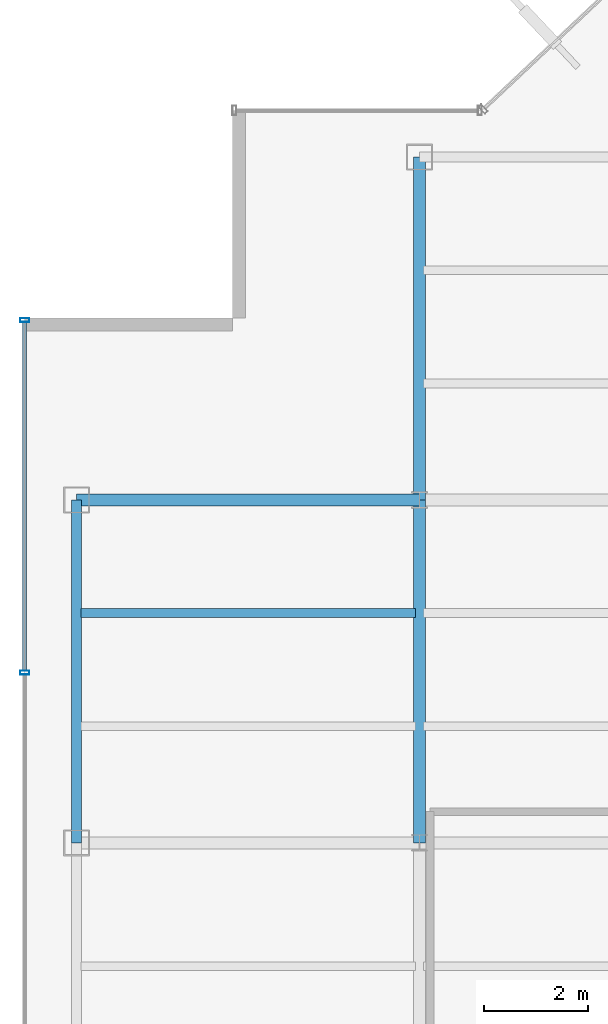
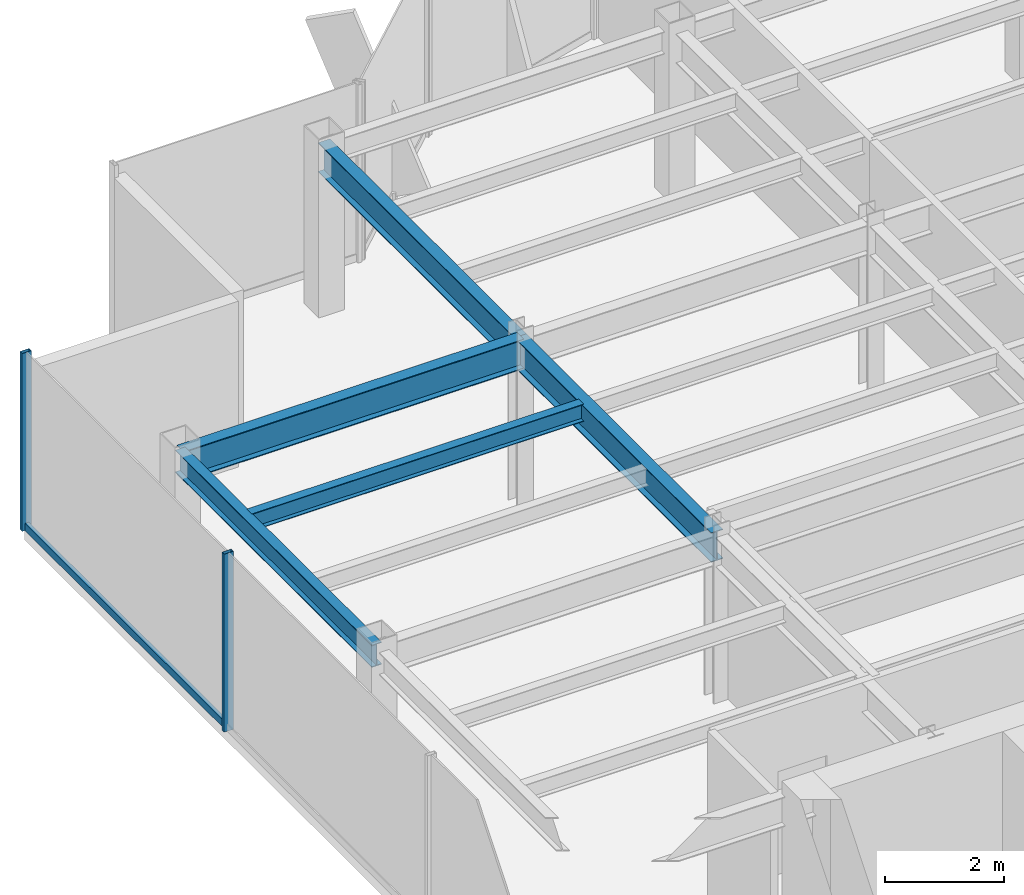
# One storey, part 7 of 22: 5 beams, 3 members, 1 element without a shape of its own.
"""IFC4 building model written with IfcOpenShell, lengths in metres."""

from ifc_helpers import new_model, si_unit, derived_unit, direction, frame, origin, origin_2d, place, context, subcontext, project, spatial, hollow_rectangle, i_section, extrude, source, transform, mapped, material, material_profile, profile_set, type_object, element, aggregate, save


model = new_model("IFC4")

# Units and contexts
model_context = context("Model", 3, precision=1e-05, world=origin(), true_north=direction((0.0, 1.0)))
body_context = subcontext(model_context, "Body", "Model", "MODEL_VIEW")
ifc_project = project(units=[si_unit("LENGTHUNIT", "METRE"), si_unit("AREAUNIT", "SQUARE_METRE"), si_unit("VOLUMEUNIT", "CUBIC_METRE"), si_unit("PLANEANGLEUNIT", "RADIAN"), si_unit("MASSUNIT", "GRAM", prefix="KILO"), derived_unit("THERMALTRANSMITTANCEUNIT", [(si_unit("POWERUNIT", "WATT"), 1), (si_unit("LENGTHUNIT", "METRE"), -2), (si_unit("THERMODYNAMICTEMPERATUREUNIT", "KELVIN"), -1)])], contexts=[model_context])

# Site, building, storey
site_placement = place(None, origin())
site = spatial("IfcSite", under=ifc_project, at=site_placement, CompositionType="ELEMENT")
building_placement = place(site_placement, origin())
building = spatial("IfcBuilding", under=site, at=building_placement, Name="Skarnbrae Concourse Arena and Tower", CompositionType="ELEMENT")
storey_placement = place(building_placement, frame((0.0, 0.0, 195.89990234375)))
storey = spatial("IfcBuildingStorey", under=building, at=storey_placement, Name="L50", CompositionType="ELEMENT", Elevation=195.89990234375)

# Beams
ifc_material_1 = material(Name="Steel CSA G40.21 350W", Category="steel")
ifc_material_profile_1 = material_profile(ifc_material_1, i_section(OverallWidth=0.22802734375, OverallDepth=0.60791015625, WebThickness=0.01123046875, FlangeThickness=0.017333984375, at=origin_2d()), Name="W610X113")
ifc_profile_set_1 = profile_set([ifc_material_profile_1], Name="Steel CSA G40.21 350W")
beam_type_1 = type_object("IfcBeamType", Name="BM-GIRD-W610X113", PredefinedType="BEAM", material=ifc_profile_set_1)
shared_shape_1 = source(origin(), body_context, "Body", "SweptSolid", [
    extrude(i_section(OverallWidth=0.22802734375, OverallDepth=0.60791015625, WebThickness=0.01123046875, FlangeThickness=0.017333984375, at=origin_2d()), origin(), (0.0, 0.0, 1.0), 6.60009765625),
])
for number, where, z_axis, x_axis, name in (
    (1, (1.0, 27.800048828125, 3.09619140625), (1.0, 0.0, 0.0), (0.0, 1.0, 0.0), "L50 Primary E-W girder Y27.8-1"),
    (2, (7.60009765625, 21.199951171875, 3.09619140625), (0.0, 1.0, 0.0), (-1.0, 0.0, 0.0), "L50 Primary N-S girder X7.6-2"),
):
    element("IfcBeam", number, at=place(storey_placement, frame(where, z_axis=z_axis, x_axis=x_axis)), inside=storey, type_object=beam_type_1, Name=name, PredefinedType="BEAM", context=body_context, shape_type="MappedRepresentation", body=[
        mapped(shared_shape_1, transform((0.0, 0.0, 0.0))),
    ])
ifc_material_profile_2 = material_profile(ifc_material_1, i_section(OverallWidth=0.19091796875, OverallDepth=0.4599609375, WebThickness=0.010009765625, FlangeThickness=0.01611328125, at=origin_2d()), Name="W460X82")
ifc_profile_set_2 = profile_set([ifc_material_profile_2], Name="Steel CSA G40.21 350W")
beam_type_2 = type_object("IfcBeamType", Name="BM-SPAN-W460X82", PredefinedType="SPANDREL", material=ifc_profile_set_2)
shared_shape_2 = source(origin(), body_context, "Body", "SweptSolid", [
    extrude(i_section(OverallWidth=0.19091796875, OverallDepth=0.4599609375, WebThickness=0.010009765625, FlangeThickness=0.01611328125, at=origin_2d()), origin(), (0.0, 0.0, 1.0), 6.60009765625),
])
beam_1_placement = place(storey_placement, frame((1.0, 21.199951171875, 3.170166015625), z_axis=(0.0, 1.0, 0.0), x_axis=(-1.0, 0.0, 0.0)))
element("IfcBeam", 3, at=beam_1_placement, inside=storey, type_object=beam_type_2, Name="L50 Perimeter spandrel X1.0-3", PredefinedType="SPANDREL", context=body_context, shape_type="MappedRepresentation", body=[
    mapped(shared_shape_2, transform((0.0, 0.0, 0.0))),
])
shared_shape_3 = source(origin(), body_context, "Body", "SweptSolid", [
    extrude(i_section(OverallWidth=0.22802734375, OverallDepth=0.60791015625, WebThickness=0.01123046875, FlangeThickness=0.017333984375, at=origin_2d()), origin(), (0.0, 0.0, 1.0), 6.599853515625),
])
beam_2_placement = place(storey_placement, frame((7.60009765625, 27.800048828125, 3.09619140625), z_axis=(0.0, 1.0, 0.0), x_axis=(-1.0, 0.0, 0.0)))
element("IfcBeam", 4, at=beam_2_placement, inside=storey, type_object=beam_type_1, Name="L50 Primary N-S girder X7.6-3", PredefinedType="BEAM", context=body_context, shape_type="MappedRepresentation", body=[
    mapped(shared_shape_3, transform((0.0, 0.0, 0.0))),
])
ifc_material_profile_3 = material_profile(ifc_material_1, i_section(OverallWidth=0.1708984375, OverallDepth=0.35498046875, WebThickness=0.007080078125, FlangeThickness=0.01171875, at=origin_2d()), Name="W360X51")
ifc_profile_set_3 = profile_set([ifc_material_profile_3], Name="Steel CSA G40.21 350W")
beam_type_3 = type_object("IfcBeamType", Name="BM-JOIST-W360X51", PredefinedType="JOIST", material=ifc_profile_set_3)
shared_shape_4 = source(origin(), body_context, "Body", "SweptSolid", [
    extrude(i_section(OverallWidth=0.1708984375, OverallDepth=0.35498046875, WebThickness=0.007080078125, FlangeThickness=0.01171875, at=origin_2d()), origin(), (0.0, 0.0, 1.0), 6.43994140625),
])
beam_3_placement = place(storey_placement, frame((1.080078125, 25.6220703125, 3.22265625), z_axis=(1.0, 0.0, 0.0), x_axis=(0.0, 1.0, 0.0)))
element("IfcBeam", 5, at=beam_3_placement, inside=storey, type_object=beam_type_3, Name="L50 Secondary floor joist 2.2.1", PredefinedType="JOIST", context=body_context, shape_type="MappedRepresentation", body=[
    mapped(shared_shape_4, transform((0.0, 0.0, 0.0))),
])

# Curtain wall, members
ifc_material_2 = material(Name="Bronze anodised aluminium 6063-T6", Category="aluminium")
curtain_wall_type = type_object("IfcCurtainWallType", Name="CW-SYS-05-HIGHZONE", PredefinedType="USERDEFINED", material=ifc_material_2)
curtain_wall_placement = place(storey_placement, origin())
curtain_wall = element("IfcCurtainWall", 6, at=curtain_wall_placement, inside=storey, type_object=curtain_wall_type, Name="L50 Unitised curtain wall CW-L50-E18", ObjectType="UNITISED CURTAIN WALL", PredefinedType="USERDEFINED")
ifc_material_profile_4 = material_profile(ifc_material_2, hollow_rectangle(XDim=0.074951171875, YDim=0.14990234375, WallThickness=0.00390625, at=origin_2d()), Name="ALU-TRAN-75X150")
ifc_profile_set_4 = profile_set([ifc_material_profile_4], Name="Bronze anodised aluminium 6063-T6")
member_type_1 = type_object("IfcMemberType", Name="CWT-CW-05", PredefinedType="USERDEFINED", material=ifc_profile_set_4)
shared_shape_5 = source(origin(), body_context, "Body", "SweptSolid", [
    extrude(hollow_rectangle(XDim=0.074951171875, YDim=0.14990234375, WallThickness=0.00390625, at=origin_2d()), origin(), (0.0, 0.0, 1.0), 6.712646484375),
])
member_1_placement = place(storey_placement, frame((0.0, 31.22509765625, 0.0751953125), z_axis=(0.0, -1.0, 0.0), x_axis=(1.0, 0.0, 0.0)))
member_1 = element("IfcMember", 7, at=member_1_placement, type_object=member_type_1, Name="CW-L50-E18 Transom 1", ObjectType="TRANSOM", PredefinedType="USERDEFINED", context=body_context, shape_type="MappedRepresentation", body=[
    mapped(shared_shape_5, transform((0.0, 0.0, 0.0))),
])
ifc_material_profile_5 = material_profile(ifc_material_2, hollow_rectangle(XDim=0.074951171875, YDim=0.179931640625, WallThickness=0.00390625, at=origin_2d()), Name="ALU-MULL-75X180")
ifc_profile_set_5 = profile_set([ifc_material_profile_5], Name="Bronze anodised aluminium 6063-T6")
member_type_2 = type_object("IfcMemberType", Name="CWM-CW-05", PredefinedType="MULLION", material=ifc_profile_set_5)
shared_shape_6 = source(origin(), body_context, "Body", "SweptSolid", [
    extrude(hollow_rectangle(XDim=0.074951171875, YDim=0.179931640625, WallThickness=0.00390625, at=origin_2d()), origin(), (0.0, 0.0, 1.0), 3.650146484375),
])
member_2_placement = place(storey_placement, frame((0.0, 31.262451171875, 0.0), z_axis=(0.0, 0.0, 1.0), x_axis=(0.0, -1.0, 0.0)))
member_2 = element("IfcMember", 8, at=member_2_placement, type_object=member_type_2, Name="CW-L50-E18 Mullion 1", PredefinedType="MULLION", context=body_context, shape_type="MappedRepresentation", body=[
    mapped(shared_shape_6, transform((0.0, 0.0, 0.0))),
])
member_3_placement = place(storey_placement, frame((0.0, 24.47509765625, 0.0), z_axis=(0.0, 0.0, 1.0), x_axis=(0.0, -1.0, 0.0)))
member_3 = element("IfcMember", 9, at=member_3_placement, type_object=member_type_2, Name="CW-L50-E18 Mullion 2", PredefinedType="MULLION", context=body_context, shape_type="MappedRepresentation", body=[
    mapped(shared_shape_6, transform((0.0, 0.0, 0.0))),
])
aggregate(curtain_wall, [member_2, member_3, member_1])

save(model, "model.ifc")
